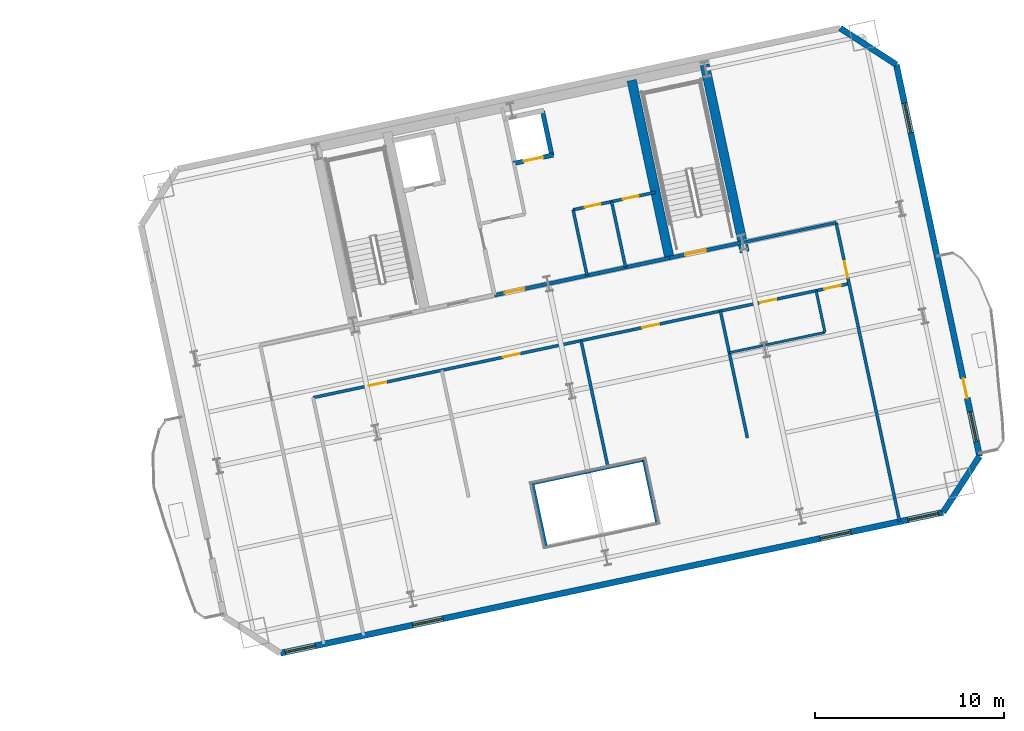
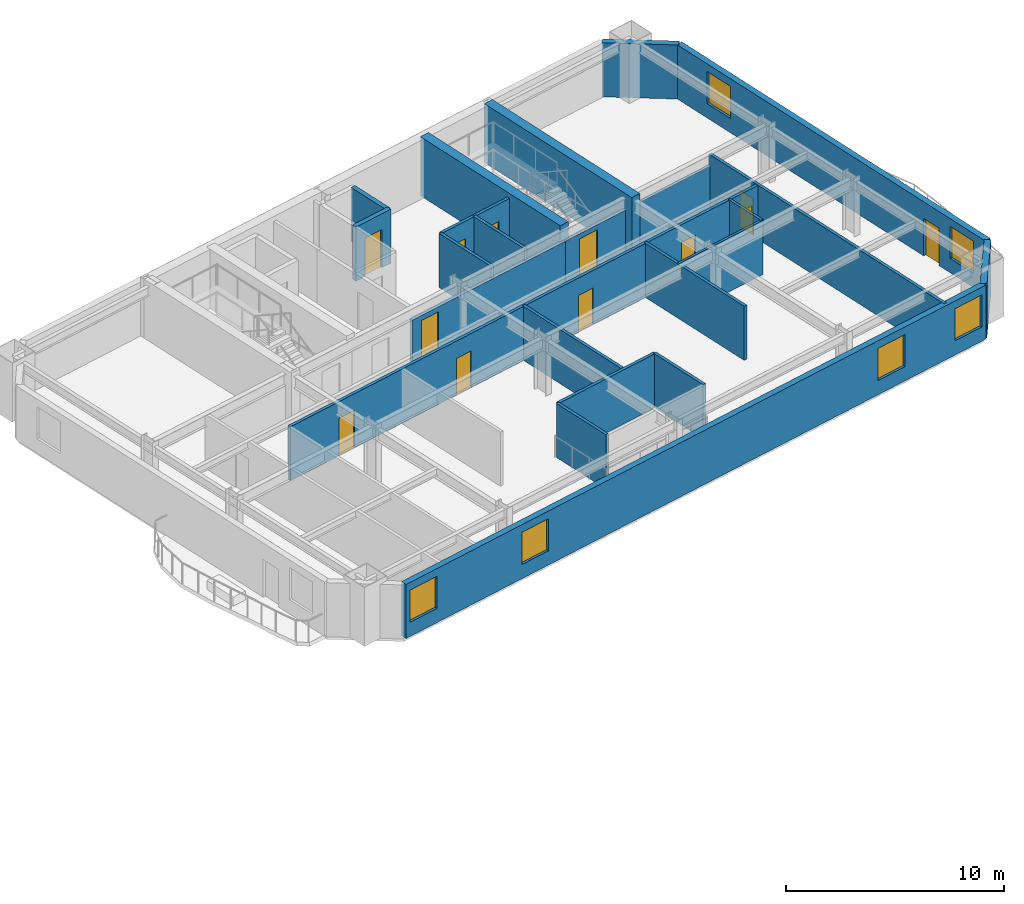
# One storey, part 8 of 13: 23 walls, 12 doors, 6 windows, 18 openings.
"""IFC4 building model written with IfcOpenShell, lengths in metres."""

import ifcopenshell
import ifcopenshell.guid

model = None  # the IFC model being written
_history = None  # IfcOwnerHistory: only IFC2X3 demands one
_inside = {}  # id of a spatial element -> (the spatial element, [elements in it])
_under = {}  # id of a project, library or spatial element -> (it, [spatial elements below it])
_declared = {}  # id of a project -> (the project, [libraries it declares])
_typed = {}  # id of a type object -> (the type object, [elements of that type])
_made_of = {}  # id of a material, layer set ... -> (it, [elements and type objects made of it])


def new_model(schema):
    """Start an empty IFC model of exactly this schema.

    Asked for "IFC4X3", IfcOpenShell would pick the latest addendum, in which some entities
    have other attributes; the version numbers below select the first issue.
    IFC2X3 requires an IfcOwnerHistory on every rooted entity: one is made here for all.
    """
    global model, _history
    if schema == "IFC4X3":
        model = ifcopenshell.file(schema_version=(4, 3, 0, 0))
    else:
        model = ifcopenshell.file(schema=schema)
    _inside.clear()
    _under.clear()
    _declared.clear()
    _typed.clear()
    _made_of.clear()
    _history = None
    if model.schema == "IFC2X3":
        org = make("IfcOrganization", Name="unknown")
        user = make(
            "IfcPersonAndOrganization",
            ThePerson=make("IfcPerson", FamilyName="unknown"),
            TheOrganization=org,
        )
        app = make(
            "IfcApplication",
            ApplicationDeveloper=org,
            Version="unknown",
            ApplicationFullName="unknown",
            ApplicationIdentifier="unknown",
        )
        _history = make(
            "IfcOwnerHistory",
            OwningUser=user,
            OwningApplication=app,
            ChangeAction="ADDED",
            CreationDate=0,
        )
    return model


def make(cls, **values):
    """One entity of the class cls with the attributes given. An attribute that is None is left unset."""
    return model.create_entity(
        cls, **{name: value for name, value in values.items() if value is not None}
    )


def rooted(cls, **values):
    """An entity with a GlobalId (a new one), such as an element, a storey or a relation."""
    return make(cls, GlobalId=ifcopenshell.guid.new(), OwnerHistory=_history, **values)


def si_unit(unit_type, name, prefix=None):
    """IfcSIUnit, for example si_unit("LENGTHUNIT", "METRE", prefix="MILLI")."""
    return make("IfcSIUnit", UnitType=unit_type, Prefix=prefix, Name=name)


def assignment(units):
    """IfcUnitAssignment: the units of a project."""
    return None if units is None else make("IfcUnitAssignment", Units=units)


def point(xyz):
    """IfcCartesianPoint."""
    return None if xyz is None else make("IfcCartesianPoint", Coordinates=xyz)


def direction(xyz):
    """IfcDirection."""
    return None if xyz is None else make("IfcDirection", DirectionRatios=xyz)


def frame(location, z_axis=None, x_axis=None):
    """IfcAxis2Placement3D, a coordinate frame: its origin and axes. An axis left out is left unset."""
    return make(
        "IfcAxis2Placement3D",
        Location=point(location),
        Axis=direction(z_axis),
        RefDirection=direction(x_axis),
    )


def frame_2d(location, x_axis=None):
    """IfcAxis2Placement2D, a coordinate frame in the plane: its origin and x axis."""
    return make(
        "IfcAxis2Placement2D", Location=point(location), RefDirection=direction(x_axis)
    )


def origin():
    """The frame at (0, 0, 0) with its axes left unset."""
    return frame((0.0, 0.0, 0.0))


def place(relative_to, where):
    """IfcLocalPlacement: puts the frame where relative to a parent placement (None: the world)."""
    return make(
        "IfcLocalPlacement", PlacementRelTo=relative_to, RelativePlacement=where
    )


def context(
    kind, dimensions, precision=None, world=None, true_north=None, identifier=None
):
    """IfcGeometricRepresentationContext, for example the 3D "Model" context."""
    return make(
        "IfcGeometricRepresentationContext",
        ContextIdentifier=identifier,
        ContextType=kind,
        CoordinateSpaceDimension=dimensions,
        Precision=precision,
        WorldCoordinateSystem=world,
        TrueNorth=true_north,
    )


def subcontext(parent, identifier, kind, view, scale=None):
    """IfcGeometricRepresentationSubContext, for example "Body" below "Model"."""
    return make(
        "IfcGeometricRepresentationSubContext",
        ContextIdentifier=identifier,
        ContextType=kind,
        ParentContext=parent,
        TargetScale=scale,
        TargetView=view,
    )


def project(units=None, contexts=None):
    """IfcProject with its units and contexts."""
    return rooted(
        "IfcProject",
        Name="project",
        RepresentationContexts=contexts,
        UnitsInContext=assignment(units),
    )


def spatial(cls, under=None, at=None, **own):
    """A site, building, storey or space (cls), placed at a placement, below another one or the project."""
    s = rooted(cls, ObjectPlacement=at, **own)
    if under is not None:
        _under.setdefault(under.id(), (under, []))[1].append(s)
    return s


def profile(cls, at=None, kind="AREA", **sizes):
    """A parametric profile (cls). Its sizes go by their IFC names, for example OverallWidth=200.0."""
    return make(cls, ProfileType=kind, Position=at, **sizes)


def rectangle(**sizes):
    """IfcRectangleProfileDef."""
    return profile("IfcRectangleProfileDef", **sizes)


def extrude(swept, where, along, depth):
    """IfcExtrudedAreaSolid: the profile swept, set in the frame where, extruded along a direction by depth."""
    return make(
        "IfcExtrudedAreaSolid",
        SweptArea=swept,
        Position=where,
        ExtrudedDirection=direction(along),
        Depth=depth,
    )


def shape(context_of_items, identifier, shape_type, items):
    """IfcShapeRepresentation: the items that make up one representation, for example the "Body"."""
    return make(
        "IfcShapeRepresentation",
        ContextOfItems=context_of_items,
        RepresentationIdentifier=identifier,
        RepresentationType=shape_type,
        Items=items,
    )


def material(Name=None, Category=None):
    """IfcMaterial."""
    return make("IfcMaterial", Name=Name, Category=Category)


def layer(
    of_material, thickness, ventilated=None, Name=None, Category=None, Priority=None
):
    """IfcMaterialLayer: one layer of a wall or slab, of a material (None: an air gap)."""
    return make(
        "IfcMaterialLayer",
        Material=of_material,
        LayerThickness=thickness,
        IsVentilated=ventilated,
        Name=Name,
        Category=Category,
        Priority=Priority,
    )


def layer_set(layers, Name=None):
    """IfcMaterialLayerSet."""
    return make("IfcMaterialLayerSet", MaterialLayers=layers, LayerSetName=Name)


def made_of(thing, what):
    """Note that an element or type object is made of a material, layer set ...; save() writes the relation."""
    if what is not None:
        _made_of.setdefault(what.id(), (what, []))[1].append(thing)
    return thing


def type_object(cls, material=None, **own):
    """A type object (cls), such as IfcWallType, which elements share."""
    return made_of(rooted(cls, **own), material)


def element(
    cls,
    number,
    at=None,
    inside=None,
    cuts=None,
    type_object=None,
    material=None,
    context=None,
    identifier="Body",
    shape_type=None,
    held_by="IfcProductDefinitionShape",
    body=None,
    shapes=None,
    **own,
):
    """One element of the class cls, such as IfcWall. Its Tag is "e" and its number.

    at: its placement. inside: the storey or other place that contains it. cuts: it is an
    opening in that element (IfcRelVoidsElement). A single representation is given by context,
    identifier, shape_type and body (its items); several are given by shapes. held_by: the class
    of the entity that holds the representations. save() writes the other relations.
    """
    e = rooted(cls, Tag="e%d" % number, ObjectPlacement=at, **own)
    if body is not None:
        shapes = [shape(context, identifier, shape_type, body)]
    if shapes is not None:
        e.Representation = make(held_by, Representations=shapes)
    if inside is not None:
        _inside.setdefault(inside.id(), (inside, []))[1].append(e)
    if cuts is not None:
        rooted(
            "IfcRelVoidsElement", RelatingBuildingElement=cuts, RelatedOpeningElement=e
        )
    if type_object is not None:
        _typed.setdefault(type_object.id(), (type_object, []))[1].append(e)
    return made_of(e, material)


def fill(opening, filler):
    """IfcRelFillsElement: the door or window that sits in an opening."""
    return rooted(
        "IfcRelFillsElement",
        RelatingOpeningElement=opening,
        RelatedBuildingElement=filler,
    )


def aggregate(whole, parts):
    """IfcRelAggregates: a whole, such as a stair, and the parts it consists of."""
    return rooted("IfcRelAggregates", RelatingObject=whole, RelatedObjects=parts)


def save(model, path):
    """Write the relations noted so far, then the file.

    IfcRelAggregates (storeys below a building ...), IfcRelContainedInSpatialStructure (elements
    in a storey), IfcRelDefinesByType, IfcRelAssociatesMaterial and IfcRelDeclares: one each for
    every whole, place, type object, material and project.
    """
    for whole, parts in _under.values():
        aggregate(whole, parts)
    for where, things in _inside.values():
        rooted(
            "IfcRelContainedInSpatialStructure",
            RelatedElements=things,
            RelatingStructure=where,
        )
    for kind, things in _typed.values():
        rooted("IfcRelDefinesByType", RelatedObjects=things, RelatingType=kind)
    for what, things in _made_of.values():
        rooted("IfcRelAssociatesMaterial", RelatedObjects=things, RelatingMaterial=what)
    for by, libraries in _declared.values():
        rooted("IfcRelDeclares", RelatingContext=by, RelatedDefinitions=libraries)
    model.write(path)


model = new_model("IFC4")

# Units and contexts
model_context = context("Model", 3, precision=1e-05, world=origin(), true_north=direction((0.0, 1.0)))
body_context = subcontext(model_context, "Body", "Model", "MODEL_VIEW")
ifc_project = project(units=[si_unit("LENGTHUNIT", "METRE"), si_unit("AREAUNIT", "SQUARE_METRE"), si_unit("VOLUMEUNIT", "CUBIC_METRE"), si_unit("PLANEANGLEUNIT", "RADIAN"), si_unit("MASSUNIT", "GRAM", prefix="KILO")], contexts=[model_context])

# Site, building, storey
site_placement = place(None, origin())
site = spatial("IfcSite", under=ifc_project, at=site_placement, CompositionType="ELEMENT")
building_placement = place(site_placement, origin())
building = spatial("IfcBuilding", under=site, at=building_placement, Name="Haevon Station Towers", CompositionType="ELEMENT")
storey_placement = place(building_placement, frame((0.0, 0.0, 99.89990234375)))
storey = spatial("IfcBuildingStorey", under=building, at=storey_placement, Name="L26", CompositionType="ELEMENT", Elevation=99.89990234375)

# Wall, opening, door
ifc_material_1 = material(Name="Gypsum board on steel stud", Category="steel")
ifc_layer_1 = layer(ifc_material_1, 0.199951171875)
ifc_layer_set_1 = layer_set([ifc_layer_1], Name="Gypsum board on steel stud")
wall_type_1 = type_object("IfcWallType", Name="WL-COR200", PredefinedType="PARTITIONING", material=ifc_layer_set_1)
wall_1_placement = place(storey_placement, frame((115.4296875, 40.9873046875, 0.0), z_axis=(0.0, 0.0, 1.0), x_axis=(0.978146596989, 0.207916413008, 0.0)))
wall_1 = element("IfcWall", 1, at=wall_1_placement, inside=storey, type_object=wall_type_1, Name="WL-ST-ST4-L26", PredefinedType="PARTITIONING", context=body_context, shape_type="SweptSolid", body=[
    extrude(rectangle(XDim=3.9501953125, YDim=0.199951171875, at=frame_2d((1.97509765625, 0.0))), origin(), (0.0, 0.0, 1.0), 2.380126953125),
])
opening_1_placement = place(wall_1_placement, frame((0.85009765625, 0.0, 0.0)))
opening_1 = element("IfcOpeningElement", 2, at=opening_1_placement, cuts=wall_1, Name="Opening DR-ST-ST4-L26", PredefinedType="OPENING", context=body_context, shape_type="SweptSolid", body=[
    extrude(rectangle(XDim=1.1201171875, YDim=2.10009765625, at=frame_2d((0.56005859375, 1.050048828125))), frame((0.0, 0.10986328125, 0.0), z_axis=(0.0, -1.0, 0.0), x_axis=(1.0, 0.0, 0.0)), (0.0, 0.0, 1.0), 0.219970703125),
])
ifc_material_2 = material(Name="Engineered oak timber", Category="wood")
door_type_1 = type_object("IfcDoorType", Name="DR-ST-1120", OperationType="NOTDEFINED", PredefinedType="DOOR", material=ifc_material_2)
door_1_placement = place(opening_1_placement, origin())
door_1 = element("IfcDoor", 3, at=door_1_placement, inside=storey, type_object=door_type_1, Name="L26 Escape Stair ST4 Fire Door", OperationType="SINGLE_SWING_RIGHT", OverallHeight=2.10009765625, OverallWidth=1.1201171875, PredefinedType="DOOR", context=body_context, shape_type="SweptSolid", body=[
    extrude(rectangle(XDim=1.1201171875, YDim=2.10009765625, at=frame_2d((0.56005859375, 1.050048828125))), frame((0.0, 0.02490234375, 0.0), z_axis=(0.0, -1.0, 0.0), x_axis=(1.0, 0.0, 0.0)), (0.0, 0.0, 1.0), 0.050048828125),
])
fill(opening_1, door_1)

wall_2_placement = place(storey_placement, frame((106.186279296875, 39.0224609375, 0.0), z_axis=(0.0, 0.0, 1.0), x_axis=(0.978145519981, 0.20792147975, 0.0)))
wall_2 = element("IfcWall", 4, at=wall_2_placement, inside=storey, type_object=wall_type_1, Name="WL-T2CLB-L26", PredefinedType="PARTITIONING", context=body_context, shape_type="SweptSolid", body=[
    extrude(rectangle(XDim=9.449951171875, YDim=0.199951171875, at=frame_2d((4.72509765625, 0.0))), origin(), (0.0, 0.0, 1.0), 2.380126953125),
])
opening_2_placement = place(wall_2_placement, frame((0.550048828125, 0.0, 0.0)))
opening_2 = element("IfcOpeningElement", 5, at=opening_2_placement, cuts=wall_2, Name="Opening DR-T2CLB-L26-1", PredefinedType="OPENING", context=body_context, shape_type="SweptSolid", body=[
    extrude(rectangle(XDim=1.050048828125, YDim=2.10009765625, at=frame_2d((0.52490234375, 1.050048828125))), frame((0.0, 0.10986328125, 0.0), z_axis=(0.0, -1.0, 0.0), x_axis=(1.0, 0.0, 0.0)), (0.0, 0.0, 1.0), 0.219970703125),
])
door_type_2 = type_object("IfcDoorType", Name="DR-FD60-1050", OperationType="NOTDEFINED", PredefinedType="DOOR", material=ifc_material_2)
door_2_placement = place(opening_2_placement, origin())
door_2 = element("IfcDoor", 6, at=door_2_placement, inside=storey, type_object=door_type_2, Name="L26 Tower 2 Core Lift Lobby Door 1", OperationType="SINGLE_SWING_LEFT", OverallHeight=2.10009765625, OverallWidth=1.050048828125, PredefinedType="DOOR", context=body_context, shape_type="SweptSolid", body=[
    extrude(rectangle(XDim=1.050048828125, YDim=2.10009765625, at=frame_2d((0.52490234375, 1.050048828125))), frame((0.0, 0.02490234375, 0.0), z_axis=(0.0, -1.0, 0.0), x_axis=(1.0, 0.0, 0.0)), (0.0, 0.0, 1.0), 0.050048828125),
])
fill(opening_2, door_2)

# Walls
ifc_material_3 = material(Name="Concrete C60/75", Category="concrete")
ifc_layer_2 = layer(ifc_material_3, 0.5)
ifc_layer_set_2 = layer_set([ifc_layer_2], Name="Concrete C60/75")
wall_type_2 = type_object("IfcWallType", Name="WL-CR500", PredefinedType="SHEAR", material=ifc_layer_set_2)
wall_3_placement = place(storey_placement, frame((119.401611328125, 41.2998046875, 0.0), z_axis=(0.0, 0.0, 1.0), x_axis=(-0.207904342798, 0.978149162575, 0.0)))
element("IfcWall", 7, at=wall_3_placement, inside=storey, type_object=wall_type_2, Name="WL-T2CR-L26-E", PredefinedType="SHEAR", context=body_context, shape_type="SweptSolid", body=[
    extrude(rectangle(XDim=10.1201171875, YDim=0.5, at=frame_2d((5.06005859375, 0.0))), origin(), (0.0, 0.0, 1.0), 3.300048828125),
])
wall_4_placement = place(storey_placement, frame((115.4296875, 40.9873046875, 0.0), z_axis=(0.0, 0.0, 1.0), x_axis=(-0.207903162969, 0.978149413345, 0.0)))
element("IfcWall", 8, at=wall_4_placement, inside=storey, type_object=wall_type_2, Name="WL-T2CR-L26-M2", PredefinedType="SHEAR", context=body_context, shape_type="SweptSolid", body=[
    extrude(rectangle(XDim=9.599853515625, YDim=0.5, at=frame_2d((4.7998046875, 0.0))), origin(), (0.0, 0.0, 1.0), 3.300048828125),
])

# Wall, openings, windows
ifc_material_4 = material(Name="Precast concrete C45/55", Category="concrete")
ifc_layer_3 = layer(ifc_material_4, 0.320068359375)
ifc_layer_set_3 = layer_set([ifc_layer_3], Name="Precast concrete C45/55")
wall_type_3 = type_object("IfcWallType", Name="WL-EXT-PIER320", PredefinedType="SOLIDWALL", material=ifc_layer_set_3)
wall_5_placement = place(storey_placement, frame((129.889404296875, 27.550048828125, 0.0), z_axis=(0.0, 0.0, 1.0), x_axis=(-0.978146786281, -0.207915522479, 0.0)))
wall_5 = element("IfcWall", 9, at=wall_5_placement, inside=storey, type_object=wall_type_3, Name="WL-T2-L26-S", PredefinedType="SOLIDWALL", context=body_context, shape_type="SweptSolid", body=[
    extrude(rectangle(XDim=35.7998046875, YDim=0.320068359375, at=frame_2d((17.89990234375, 0.0))), origin(), (0.0, 0.0, 1.0), 3.030029296875),
])
opening_3_placement = place(wall_5_placement, frame((33.89990234375, 0.0, 0.800048828125)))
opening_3 = element("IfcOpeningElement", 10, at=opening_3_placement, cuts=wall_5, Name="Opening WN-P165", PredefinedType="OPENING", context=body_context, shape_type="SweptSolid", body=[
    extrude(rectangle(XDim=1.64990234375, YDim=1.800048828125, at=frame_2d((0.824951171875, 0.89990234375))), frame((0.0, 0.169921875, 0.0), z_axis=(0.0, -1.0, 0.0), x_axis=(1.0, 0.0, 0.0)), (0.0, 0.0, 1.0), 0.340087890625),
])
opening_4_placement = place(wall_5_placement, frame((0.25, 0.0, 0.800048828125)))
opening_4 = element("IfcOpeningElement", 11, at=opening_4_placement, cuts=wall_5, Name="Opening WN-P165", PredefinedType="OPENING", context=body_context, shape_type="SweptSolid", body=[
    extrude(rectangle(XDim=1.64990234375, YDim=1.800048828125, at=frame_2d((0.824951171875, 0.89990234375))), frame((0.0, 0.169921875, 0.0), z_axis=(0.0, -1.0, 0.0), x_axis=(1.0, 0.0, 0.0)), (0.0, 0.0, 1.0), 0.340087890625),
])
opening_5_placement = place(wall_5_placement, frame((27.0009765625, 0.0, 0.800048828125)))
opening_5 = element("IfcOpeningElement", 12, at=opening_5_placement, cuts=wall_5, Name="Opening WN-P165", PredefinedType="OPENING", context=body_context, shape_type="SweptSolid", body=[
    extrude(rectangle(XDim=1.64990234375, YDim=1.800048828125, at=frame_2d((0.824951171875, 0.89990234375))), frame((0.0, 0.169921875, 0.0), z_axis=(0.0, -1.0, 0.0), x_axis=(1.0, 0.0, 0.0)), (0.0, 0.0, 1.0), 0.340087890625),
])
opening_6_placement = place(wall_5_placement, frame((4.9990234375, 0.0, 0.800048828125)))
opening_6 = element("IfcOpeningElement", 13, at=opening_6_placement, cuts=wall_5, Name="Opening WN-P165", PredefinedType="OPENING", context=body_context, shape_type="SweptSolid", body=[
    extrude(rectangle(XDim=1.64990234375, YDim=1.800048828125, at=frame_2d((0.824951171875, 0.89990234375))), frame((0.0, 0.169921875, 0.0), z_axis=(0.0, -1.0, 0.0), x_axis=(1.0, 0.0, 0.0)), (0.0, 0.0, 1.0), 0.340087890625),
])
ifc_material_5 = material(Name="Low-E triple glazing in thermally broken aluminium", Category="aluminium")
window_type_1 = type_object("IfcWindowType", Name="WN-P165", PartitioningType="SINGLE_PANEL", PredefinedType="WINDOW", material=ifc_material_5)
window_1_placement = place(opening_3_placement, origin())
window_1 = element("IfcWindow", 14, at=window_1_placement, inside=storey, type_object=window_type_1, Name="WN-T2-L26-S01", OverallHeight=1.800048828125, OverallWidth=1.64990234375, PartitioningType="SINGLE_PANEL", PredefinedType="WINDOW", context=body_context, shape_type="SweptSolid", body=[
    extrude(rectangle(XDim=1.64990234375, YDim=1.800048828125, at=frame_2d((0.824951171875, 0.89990234375))), frame((0.0, 0.030029296875, 0.0), z_axis=(0.0, -1.0, 0.0), x_axis=(1.0, 0.0, 0.0)), (0.0, 0.0, 1.0), 0.06005859375),
])
fill(opening_3, window_1)
window_2_placement = place(opening_4_placement, origin())
window_2 = element("IfcWindow", 15, at=window_2_placement, inside=storey, type_object=window_type_1, Name="WN-T2-L26-S02", OverallHeight=1.800048828125, OverallWidth=1.64990234375, PartitioningType="SINGLE_PANEL", PredefinedType="WINDOW", context=body_context, shape_type="SweptSolid", body=[
    extrude(rectangle(XDim=1.64990234375, YDim=1.800048828125, at=frame_2d((0.824951171875, 0.89990234375))), frame((0.0, 0.030029296875, 0.0), z_axis=(0.0, -1.0, 0.0), x_axis=(1.0, 0.0, 0.0)), (0.0, 0.0, 1.0), 0.06005859375),
])
fill(opening_4, window_2)
window_3_placement = place(opening_5_placement, origin())
window_3 = element("IfcWindow", 16, at=window_3_placement, inside=storey, type_object=window_type_1, Name="WN-T2-L26-S03", OverallHeight=1.800048828125, OverallWidth=1.64990234375, PartitioningType="SINGLE_PANEL", PredefinedType="WINDOW", context=body_context, shape_type="SweptSolid", body=[
    extrude(rectangle(XDim=1.64990234375, YDim=1.800048828125, at=frame_2d((0.824951171875, 0.89990234375))), frame((0.0, 0.030029296875, 0.0), z_axis=(0.0, -1.0, 0.0), x_axis=(1.0, 0.0, 0.0)), (0.0, 0.0, 1.0), 0.06005859375),
])
fill(opening_5, window_3)
window_4_placement = place(opening_6_placement, origin())
window_4 = element("IfcWindow", 17, at=window_4_placement, inside=storey, type_object=window_type_1, Name="WN-T2-L26-S04", OverallHeight=1.800048828125, OverallWidth=1.64990234375, PartitioningType="SINGLE_PANEL", PredefinedType="WINDOW", context=body_context, shape_type="SweptSolid", body=[
    extrude(rectangle(XDim=1.64990234375, YDim=1.800048828125, at=frame_2d((0.824951171875, 0.89990234375))), frame((0.0, 0.030029296875, 0.0), z_axis=(0.0, -1.0, 0.0), x_axis=(1.0, 0.0, 0.0)), (0.0, 0.0, 1.0), 0.06005859375),
])
fill(opening_6, window_4)

# Wall
wall_6_placement = place(storey_placement, frame((124.45263671875, 53.128662109375, 0.0), z_axis=(0.0, 0.0, 1.0), x_axis=(0.838640767148, -0.544684921471, 0.0)))
element("IfcWall", 18, at=wall_6_placement, inside=storey, type_object=wall_type_3, Name="WL-T2-L26-NEC", PredefinedType="SOLIDWALL", context=body_context, shape_type="SweptSolid", body=[
    extrude(rectangle(XDim=3.53564453125, YDim=0.320068359375, at=frame_2d((1.767822265625, 0.0))), origin(), (0.0, 0.0, 1.0), 3.030029296875),
])

# Wall, openings, door, windows
wall_7_placement = place(storey_placement, frame((127.417724609375, 51.202880859375, 0.0), z_axis=(0.0, 0.0, 1.0), x_axis=(0.207918258146, -0.978146204782, 0.0)))
wall_7 = element("IfcWall", 19, at=wall_7_placement, inside=storey, type_object=wall_type_3, Name="WL-T2-L26-E", PredefinedType="SOLIDWALL", context=body_context, shape_type="SweptSolid", body=[
    extrude(rectangle(XDim=21.14990234375, YDim=0.320068359375, at=frame_2d((10.574951171875, 0.0))), origin(), (0.0, 0.0, 1.0), 3.030029296875),
])
opening_7_placement = place(wall_7_placement, frame((16.949951171875, 0.0, 0.0)))
opening_7 = element("IfcOpeningElement", 20, at=opening_7_placement, cuts=wall_7, Name="Opening DR-T2-SCAL-L26-E", PredefinedType="OPENING", context=body_context, shape_type="SweptSolid", body=[
    extrude(rectangle(XDim=1.050048828125, YDim=2.10009765625, at=frame_2d((0.52490234375, 1.050048828125))), frame((0.0, 0.169921875, 0.0), z_axis=(0.0, -1.0, 0.0), x_axis=(1.0, 0.0, 0.0)), (0.0, 0.0, 1.0), 0.340087890625),
])
opening_8_placement = place(wall_7_placement, frame((2.08203125, 0.0, 0.800048828125)))
opening_8 = element("IfcOpeningElement", 21, at=opening_8_placement, cuts=wall_7, Name="Opening WN-END160", PredefinedType="OPENING", context=body_context, shape_type="SweptSolid", body=[
    extrude(rectangle(XDim=1.60009765625, YDim=1.800048828125, at=frame_2d((0.800048828125, 0.89990234375))), frame((0.0, 0.169921875, 0.0), z_axis=(0.0, -1.0, 0.0), x_axis=(1.0, 0.0, 0.0)), (0.0, 0.0, 1.0), 0.340087890625),
])
opening_9_placement = place(wall_7_placement, frame((18.75, 0.0, 0.800048828125)))
opening_9 = element("IfcOpeningElement", 22, at=opening_9_placement, cuts=wall_7, Name="Opening WN-END160", PredefinedType="OPENING", context=body_context, shape_type="SweptSolid", body=[
    extrude(rectangle(XDim=1.60009765625, YDim=1.800048828125, at=frame_2d((0.800048828125, 0.89990234375))), frame((0.0, 0.169921875, 0.0), z_axis=(0.0, -1.0, 0.0), x_axis=(1.0, 0.0, 0.0)), (0.0, 0.0, 1.0), 0.340087890625),
])
ifc_material_6 = material(Name="Thermally broken anodised aluminium and laminated safety glass", Category="aluminium")
door_type_3 = type_object("IfcDoorType", Name="DR-BALC-1050", OperationType="NOTDEFINED", PredefinedType="DOOR", material=ifc_material_6)
door_3_placement = place(opening_7_placement, origin())
door_3 = element("IfcDoor", 23, at=door_3_placement, inside=storey, type_object=door_type_3, Name="Tower 2 L26 East Scalloped Balcony Door", OperationType="SINGLE_SWING_RIGHT", OverallHeight=2.10009765625, OverallWidth=1.050048828125, PredefinedType="DOOR", context=body_context, shape_type="SweptSolid", body=[
    extrude(rectangle(XDim=1.050048828125, YDim=2.10009765625, at=frame_2d((0.52490234375, 1.050048828125))), frame((0.0, 0.02490234375, 0.0), z_axis=(0.0, -1.0, 0.0), x_axis=(1.0, 0.0, 0.0)), (0.0, 0.0, 1.0), 0.050048828125),
])
fill(opening_7, door_3)
window_type_2 = type_object("IfcWindowType", Name="WN-END160", PartitioningType="SINGLE_PANEL", PredefinedType="WINDOW", material=ifc_material_5)
window_5_placement = place(opening_8_placement, origin())
window_5 = element("IfcWindow", 24, at=window_5_placement, inside=storey, type_object=window_type_2, Name="WN-T2-L26-E01", OverallHeight=1.800048828125, OverallWidth=1.60009765625, PartitioningType="SINGLE_PANEL", PredefinedType="WINDOW", context=body_context, shape_type="SweptSolid", body=[
    extrude(rectangle(XDim=1.60009765625, YDim=1.800048828125, at=frame_2d((0.800048828125, 0.89990234375))), frame((0.0, 0.030029296875, 0.0), z_axis=(0.0, -1.0, 0.0), x_axis=(1.0, 0.0, 0.0)), (0.0, 0.0, 1.0), 0.06005859375),
])
fill(opening_8, window_5)
window_6_placement = place(opening_9_placement, origin())
window_6 = element("IfcWindow", 25, at=window_6_placement, inside=storey, type_object=window_type_2, Name="WN-T2-L26-E02", OverallHeight=1.800048828125, OverallWidth=1.60009765625, PartitioningType="SINGLE_PANEL", PredefinedType="WINDOW", context=body_context, shape_type="SweptSolid", body=[
    extrude(rectangle(XDim=1.60009765625, YDim=1.800048828125, at=frame_2d((0.800048828125, 0.89990234375))), frame((0.0, 0.030029296875, 0.0), z_axis=(0.0, -1.0, 0.0), x_axis=(1.0, 0.0, 0.0)), (0.0, 0.0, 1.0), 0.06005859375),
])
fill(opening_9, window_6)

# Walls
wall_8_placement = place(storey_placement, frame((131.815185546875, 30.51513671875, 0.0), z_axis=(0.0, 0.0, 1.0), x_axis=(-0.544684921471, -0.838640767148, 0.0)))
element("IfcWall", 26, at=wall_8_placement, inside=storey, type_object=wall_type_3, Name="WL-T2-L26-SEC", PredefinedType="SOLIDWALL", context=body_context, shape_type="SweptSolid", body=[
    extrude(rectangle(XDim=3.53564453125, YDim=0.320068359375, at=frame_2d((1.767822265625, 0.0))), origin(), (0.0, 0.0, 1.0), 3.030029296875),
])
ifc_layer_4 = layer(ifc_material_1, 0.125)
ifc_layer_set_4 = layer_set([ifc_layer_4], Name="Gypsum board on steel stud")
wall_type_4 = type_object("IfcWallType", Name="WL-PRT125", PredefinedType="PARTITIONING", material=ifc_layer_set_4)
wall_9_placement = place(storey_placement, frame((118.5908203125, 35.985107421875, 0.0), z_axis=(0.0, 0.0, 1.0), x_axis=(0.97813987762, 0.207948021891, 0.0)))
element("IfcWall", 27, at=wall_9_placement, inside=storey, type_object=wall_type_4, Name="WL-T2PT-L26-15", PredefinedType="PARTITIONING", context=body_context, shape_type="SweptSolid", body=[
    extrude(rectangle(XDim=5.168212890625, YDim=0.125, at=frame_2d((2.583984375, 0.0))), origin(), (0.0, 0.0, 1.0), 3.030029296875),
])
ifc_layer_5 = layer(ifc_material_1, 0.139892578125)
ifc_layer_set_5 = layer_set([ifc_layer_5], Name="Gypsum board on steel stud")
wall_type_5 = type_object("IfcWallType", Name="WL-PRT140", PredefinedType="PARTITIONING", material=ifc_layer_set_5)
wall_10_placement = place(storey_placement, frame((123.64599609375, 37.059814453125, 0.0), z_axis=(0.0, 0.0, 1.0), x_axis=(-0.207913264065, 0.978147266328, 0.0)))
element("IfcWall", 28, at=wall_10_placement, inside=storey, type_object=wall_type_5, Name="WL-T2PT-L26-16", PredefinedType="PARTITIONING", context=body_context, shape_type="SweptSolid", body=[
    extrude(rectangle(XDim=2.249755859375, YDim=0.139892578125, at=frame_2d((1.125, 0.0))), origin(), (0.0, 0.0, 1.0), 3.030029296875),
])
ifc_layer_6 = layer(ifc_material_1, 0.159912109375)
ifc_layer_set_6 = layer_set([ifc_layer_6], Name="Gypsum board on steel stud")
wall_type_6 = type_object("IfcWallType", Name="WL-PRT160", PredefinedType="PARTITIONING", material=ifc_layer_set_6)
for number, where, z_axis, x_axis, name in (
    (29, (111.076904296875, 40.06201171875, 0.0), (0.0, 0.0, 1.0), (-0.207899058817, 0.978150285663, 0.0), "WL-T2CW-L26-05"),
    (30, (113.111572265625, 40.49462890625, 0.0), (0.0, 0.0, 1.0), (-0.207899058817, 0.978150285663, 0.0), "WL-T2CW-L26-06"),
):
    element("IfcWall", number, at=place(storey_placement, frame(where, z_axis=z_axis, x_axis=x_axis)), inside=storey, type_object=wall_type_6, Name=name, PredefinedType="PARTITIONING", context=body_context, shape_type="SweptSolid", body=[
        extrude(rectangle(XDim=3.550048828125, YDim=0.159912109375, at=frame_2d((1.77490234375, 0.0))), origin(), (0.0, 0.0, 1.0), 3.030029296875),
    ])

# Wall, openings, doors
wall_11_placement = place(storey_placement, frame((110.3388671875, 43.534423828125, 0.0), z_axis=(0.0, 0.0, 1.0), x_axis=(0.978143929138, 0.207928963567, 0.0)))
wall_11 = element("IfcWall", 31, at=wall_11_placement, inside=storey, type_object=wall_type_6, Name="WL-T2CW-L26-07", PredefinedType="PARTITIONING", context=body_context, shape_type="SweptSolid", body=[
    extrude(rectangle(XDim=4.449951171875, YDim=0.159912109375, at=frame_2d((2.22509765625, 0.0))), origin(), (0.0, 0.0, 1.0), 3.030029296875),
])
opening_10_placement = place(wall_11_placement, frame((0.635009765625, 0.0, 0.0)))
opening_10 = element("IfcOpeningElement", 32, at=opening_10_placement, cuts=wall_11, Name="Opening DR-WL-T2CW-L26-07-1", PredefinedType="OPENING", context=body_context, shape_type="SweptSolid", body=[
    extrude(rectangle(XDim=0.85009765625, YDim=2.050048828125, at=frame_2d((0.425048828125, 1.02490234375))), frame((0.0, 0.08984375, 0.0), z_axis=(0.0, -1.0, 0.0), x_axis=(1.0, 0.0, 0.0)), (0.0, 0.0, 1.0), 0.179931640625),
])
opening_11_placement = place(wall_11_placement, frame((2.679931640625, 0.0, 0.0)))
opening_11 = element("IfcOpeningElement", 33, at=opening_11_placement, cuts=wall_11, Name="Opening DR-WL-T2CW-L26-07-2", PredefinedType="OPENING", context=body_context, shape_type="SweptSolid", body=[
    extrude(rectangle(XDim=0.85009765625, YDim=2.050048828125, at=frame_2d((0.425048828125, 1.02490234375))), frame((0.0, 0.08984375, 0.0), z_axis=(0.0, -1.0, 0.0), x_axis=(1.0, 0.0, 0.0)), (0.0, 0.0, 1.0), 0.179931640625),
])
door_type_4 = type_object("IfcDoorType", Name="DR-FD30-850", OperationType="NOTDEFINED", PredefinedType="DOOR", material=ifc_material_2)
door_4_placement = place(opening_10_placement, origin())
door_4 = element("IfcDoor", 34, at=door_4_placement, inside=storey, type_object=door_type_4, Name="L26 Tower 2 Core Room Door 7-1", OperationType="SINGLE_SWING_LEFT", OverallHeight=2.050048828125, OverallWidth=0.85009765625, PredefinedType="DOOR", context=body_context, shape_type="SweptSolid", body=[
    extrude(rectangle(XDim=0.85009765625, YDim=2.050048828125, at=frame_2d((0.425048828125, 1.02490234375))), frame((0.0, 0.02490234375, 0.0), z_axis=(0.0, -1.0, 0.0), x_axis=(1.0, 0.0, 0.0)), (0.0, 0.0, 1.0), 0.050048828125),
])
fill(opening_10, door_4)
door_5_placement = place(opening_11_placement, origin())
door_5 = element("IfcDoor", 35, at=door_5_placement, inside=storey, type_object=door_type_4, Name="L26 Tower 2 Core Room Door 7-2", OperationType="SINGLE_SWING_RIGHT", OverallHeight=2.050048828125, OverallWidth=0.85009765625, PredefinedType="DOOR", context=body_context, shape_type="SweptSolid", body=[
    extrude(rectangle(XDim=0.85009765625, YDim=2.050048828125, at=frame_2d((0.425048828125, 1.02490234375))), frame((0.0, 0.02490234375, 0.0), z_axis=(0.0, -1.0, 0.0), x_axis=(1.0, 0.0, 0.0)), (0.0, 0.0, 1.0), 0.050048828125),
])
fill(opening_11, door_5)

# Wall
wall_12_placement = place(storey_placement, frame((119.29345703125, 41.80859375, 0.0), z_axis=(0.0, 0.0, 1.0), x_axis=(0.978154058851, 0.207881305445, 0.0)))
element("IfcWall", 36, at=wall_12_placement, inside=storey, type_object=wall_type_6, Name="WL-T2PT-L26-03", PredefinedType="PARTITIONING", context=body_context, shape_type="SweptSolid", body=[
    extrude(rectangle(XDim=5.050048828125, YDim=0.159912109375, at=frame_2d((2.52490234375, 0.0))), origin(), (0.0, 0.0, 1.0), 2.380126953125),
])

# Wall, opening, door
wall_13_placement = place(storey_placement, frame((127.5908203125, 27.0615234375, 0.0), z_axis=(0.0, 0.0, 1.0), x_axis=(-0.207907933608, 0.978148399346, 0.0)))
wall_13 = element("IfcWall", 37, at=wall_13_placement, inside=storey, type_object=wall_type_6, Name="WL-T2PT-L26-05", PredefinedType="PARTITIONING", context=body_context, shape_type="SweptSolid", body=[
    extrude(rectangle(XDim=16.149658203125, YDim=0.159912109375, at=frame_2d((8.07470703125, 0.0))), origin(), (0.0, 0.0, 1.0), 3.030029296875),
])
opening_12_placement = place(wall_13_placement, frame((13.169921875, 0.0, 0.0)))
opening_12 = element("IfcOpeningElement", 38, at=opening_12_placement, cuts=wall_13, Name="Opening DR-WL-T2PT-L26-05-01", PredefinedType="OPENING", context=body_context, shape_type="SweptSolid", body=[
    extrude(rectangle(XDim=0.89990234375, YDim=2.050048828125, at=frame_2d((0.449951171875, 1.02490234375))), frame((0.0, 0.08984375, 0.0), z_axis=(0.0, -1.0, 0.0), x_axis=(1.0, 0.0, 0.0)), (0.0, 0.0, 1.0), 0.179931640625),
])
door_type_5 = type_object("IfcDoorType", Name="DR-INT-900", OperationType="NOTDEFINED", PredefinedType="DOOR", material=ifc_material_2)
door_6_placement = place(opening_12_placement, origin())
door_6 = element("IfcDoor", 39, at=door_6_placement, inside=storey, type_object=door_type_5, Name="L26 Tower 2 Room Door 5-1", OperationType="SINGLE_SWING_RIGHT", OverallHeight=2.050048828125, OverallWidth=0.89990234375, PredefinedType="DOOR", context=body_context, shape_type="SweptSolid", body=[
    extrude(rectangle(XDim=0.89990234375, YDim=2.050048828125, at=frame_2d((0.449951171875, 1.02490234375))), frame((0.0, 0.02490234375, 0.0), z_axis=(0.0, -1.0, 0.0), x_axis=(1.0, 0.0, 0.0)), (0.0, 0.0, 1.0), 0.050048828125),
])
fill(opening_12, door_6)

# Walls
wall_14_placement = place(storey_placement, frame((108.19873046875, 29.073486328125, 0.0), z_axis=(0.0, 0.0, 1.0), x_axis=(0.978144681088, 0.207925426197, 0.0)))
element("IfcWall", 40, at=wall_14_placement, inside=storey, type_object=wall_type_6, Name="WL-T2PT-L26-07", PredefinedType="PARTITIONING", context=body_context, shape_type="SweptSolid", body=[
    extrude(rectangle(XDim=6.0, YDim=0.159912109375, at=frame_2d((3.0, 0.0))), origin(), (0.0, 0.0, 1.0), 3.030029296875),
])
for number, where, z_axis, x_axis, name in (
    (41, (108.90576171875, 25.747802734375, 0.0), (0.0, 0.0, 1.0), (-0.207949787024, 0.97813950236, 0.0), "WL-T2PT-L26-08"),
    (42, (114.774658203125, 26.995361328125, 0.0), (0.0, 0.0, 1.0), (-0.207949787024, 0.97813950236, 0.0), "WL-T2PT-L26-09"),
):
    element("IfcWall", number, at=place(storey_placement, frame(where, z_axis=z_axis, x_axis=x_axis)), inside=storey, type_object=wall_type_6, Name=name, PredefinedType="PARTITIONING", context=body_context, shape_type="SweptSolid", body=[
        extrude(rectangle(XDim=3.39990234375, YDim=0.159912109375, at=frame_2d((1.699951171875, 0.0))), origin(), (0.0, 0.0, 1.0), 3.030029296875),
    ])
for number, where, z_axis, x_axis, name in (
    (43, (112.184814453125, 29.9208984375, 0.0), (0.0, 0.0, 1.0), (-0.207932073521, 0.978143268035, 0.0), "WL-T2PT-L26-11"),
    (44, (119.547119140625, 31.48583984375, 0.0), (0.0, 0.0, 1.0), (-0.207897972701, 0.978150516509, 0.0), "WL-T2PT-L26-13"),
):
    element("IfcWall", number, at=place(storey_placement, frame(where, z_axis=z_axis, x_axis=x_axis)), inside=storey, type_object=wall_type_6, Name=name, PredefinedType="PARTITIONING", context=body_context, shape_type="SweptSolid", body=[
        extrude(rectangle(XDim=6.849853515625, YDim=0.159912109375, at=frame_2d((3.4248046875, 0.0))), origin(), (0.0, 0.0, 1.0), 3.030029296875),
    ])

# Wall, openings, doors
wall_15_placement = place(storey_placement, frame((96.601806640625, 33.611572265625, 0.0), z_axis=(0.0, 0.0, 1.0), x_axis=(0.978147618699, 0.207911606299, 0.0)))
wall_15 = element("IfcWall", 45, at=wall_15_placement, inside=storey, type_object=wall_type_6, Name="WL-T2PT-L26-17", PredefinedType="PARTITIONING", context=body_context, shape_type="SweptSolid", body=[
    extrude(rectangle(XDim=28.949951171875, YDim=0.159912109375, at=frame_2d((14.47509765625, 0.0))), origin(), (0.0, 0.0, 1.0), 3.030029296875),
])
opening_13_placement = place(wall_15_placement, frame((2.9990234375, 0.0, 0.0)))
opening_13 = element("IfcOpeningElement", 46, at=opening_13_placement, cuts=wall_15, Name="Opening DR-WL-T2PT-L26-17-01", PredefinedType="OPENING", context=body_context, shape_type="SweptSolid", body=[
    extrude(rectangle(XDim=0.949951171875, YDim=2.10009765625, at=frame_2d((0.47509765625, 1.050048828125))), frame((0.0, 0.08984375, 0.0), z_axis=(0.0, -1.0, 0.0), x_axis=(1.0, 0.0, 0.0)), (0.0, 0.0, 1.0), 0.179931640625),
])
opening_14_placement = place(wall_15_placement, frame((10.260986328125, 0.0, 0.0)))
opening_14 = element("IfcOpeningElement", 47, at=opening_14_placement, cuts=wall_15, Name="Opening DR-WL-T2PT-L26-17-02", PredefinedType="OPENING", context=body_context, shape_type="SweptSolid", body=[
    extrude(rectangle(XDim=0.89990234375, YDim=2.050048828125, at=frame_2d((0.449951171875, 1.02490234375))), frame((0.0, 0.08984375, 0.0), z_axis=(0.0, -1.0, 0.0), x_axis=(1.0, 0.0, 0.0)), (0.0, 0.0, 1.0), 0.179931640625),
])
opening_15_placement = place(wall_15_placement, frame((17.7880859375, 0.0, 0.0)))
opening_15 = element("IfcOpeningElement", 48, at=opening_15_placement, cuts=wall_15, Name="Opening DR-WL-T2PT-L26-17-03", PredefinedType="OPENING", context=body_context, shape_type="SweptSolid", body=[
    extrude(rectangle(XDim=0.89990234375, YDim=2.050048828125, at=frame_2d((0.449951171875, 1.02490234375))), frame((0.0, 0.08984375, 0.0), z_axis=(0.0, -1.0, 0.0), x_axis=(1.0, 0.0, 0.0)), (0.0, 0.0, 1.0), 0.179931640625),
])
opening_16_placement = place(wall_15_placement, frame((24.160888671875, 0.0, 0.0)))
opening_16 = element("IfcOpeningElement", 49, at=opening_16_placement, cuts=wall_15, Name="Opening DR-WL-T2PT-L26-17-04", PredefinedType="OPENING", context=body_context, shape_type="SweptSolid", body=[
    extrude(rectangle(XDim=0.85009765625, YDim=2.050048828125, at=frame_2d((0.425048828125, 1.02490234375))), frame((0.0, 0.08984375, 0.0), z_axis=(0.0, -1.0, 0.0), x_axis=(1.0, 0.0, 0.0)), (0.0, 0.0, 1.0), 0.179931640625),
])
opening_17_placement = place(wall_15_placement, frame((27.610107421875, 0.0, 0.0)))
opening_17 = element("IfcOpeningElement", 50, at=opening_17_placement, cuts=wall_15, Name="Opening DR-WL-T2PT-L26-17-05", PredefinedType="OPENING", context=body_context, shape_type="SweptSolid", body=[
    extrude(rectangle(XDim=0.89990234375, YDim=2.050048828125, at=frame_2d((0.449951171875, 1.02490234375))), frame((0.0, 0.08984375, 0.0), z_axis=(0.0, -1.0, 0.0), x_axis=(1.0, 0.0, 0.0)), (0.0, 0.0, 1.0), 0.179931640625),
])
door_7_placement = place(opening_16_placement, origin())
door_7 = element("IfcDoor", 51, at=door_7_placement, inside=storey, type_object=door_type_4, Name="L26 Tower 2 Room Door 17-4", OperationType="SINGLE_SWING_RIGHT", OverallHeight=2.050048828125, OverallWidth=0.85009765625, PredefinedType="DOOR", context=body_context, shape_type="SweptSolid", body=[
    extrude(rectangle(XDim=0.85009765625, YDim=2.050048828125, at=frame_2d((0.425048828125, 1.02490234375))), frame((0.0, 0.02490234375, 0.0), z_axis=(0.0, -1.0, 0.0), x_axis=(1.0, 0.0, 0.0)), (0.0, 0.0, 1.0), 0.050048828125),
])
fill(opening_16, door_7)
door_type_6 = type_object("IfcDoorType", Name="DR-FD30-950", OperationType="NOTDEFINED", PredefinedType="DOOR", material=ifc_material_2)
door_8_placement = place(opening_13_placement, origin())
door_8 = element("IfcDoor", 52, at=door_8_placement, inside=storey, type_object=door_type_6, Name="L26 Tower 2 Room Door 17-1", OperationType="SINGLE_SWING_LEFT", OverallHeight=2.10009765625, OverallWidth=0.949951171875, PredefinedType="DOOR", context=body_context, shape_type="SweptSolid", body=[
    extrude(rectangle(XDim=0.949951171875, YDim=2.10009765625, at=frame_2d((0.47509765625, 1.050048828125))), frame((0.0, 0.02490234375, 0.0), z_axis=(0.0, -1.0, 0.0), x_axis=(1.0, 0.0, 0.0)), (0.0, 0.0, 1.0), 0.050048828125),
])
fill(opening_13, door_8)
door_9_placement = place(opening_14_placement, origin())
door_9 = element("IfcDoor", 53, at=door_9_placement, inside=storey, type_object=door_type_5, Name="L26 Tower 2 Room Door 17-2", OperationType="SINGLE_SWING_RIGHT", OverallHeight=2.050048828125, OverallWidth=0.89990234375, PredefinedType="DOOR", context=body_context, shape_type="SweptSolid", body=[
    extrude(rectangle(XDim=0.89990234375, YDim=2.050048828125, at=frame_2d((0.449951171875, 1.02490234375))), frame((0.0, 0.02490234375, 0.0), z_axis=(0.0, -1.0, 0.0), x_axis=(1.0, 0.0, 0.0)), (0.0, 0.0, 1.0), 0.050048828125),
])
fill(opening_14, door_9)
door_10_placement = place(opening_15_placement, origin())
door_10 = element("IfcDoor", 54, at=door_10_placement, inside=storey, type_object=door_type_5, Name="L26 Tower 2 Room Door 17-3", OperationType="SINGLE_SWING_LEFT", OverallHeight=2.050048828125, OverallWidth=0.89990234375, PredefinedType="DOOR", context=body_context, shape_type="SweptSolid", body=[
    extrude(rectangle(XDim=0.89990234375, YDim=2.050048828125, at=frame_2d((0.449951171875, 1.02490234375))), frame((0.0, 0.02490234375, 0.0), z_axis=(0.0, -1.0, 0.0), x_axis=(1.0, 0.0, 0.0)), (0.0, 0.0, 1.0), 0.050048828125),
])
fill(opening_15, door_10)
door_11_placement = place(opening_17_placement, origin())
door_11 = element("IfcDoor", 55, at=door_11_placement, inside=storey, type_object=door_type_5, Name="L26 Tower 2 Room Door 17-5", OperationType="SINGLE_SWING_LEFT", OverallHeight=2.050048828125, OverallWidth=0.89990234375, PredefinedType="DOOR", context=body_context, shape_type="SweptSolid", body=[
    extrude(rectangle(XDim=0.89990234375, YDim=2.050048828125, at=frame_2d((0.449951171875, 1.02490234375))), frame((0.0, 0.02490234375, 0.0), z_axis=(0.0, -1.0, 0.0), x_axis=(1.0, 0.0, 0.0)), (0.0, 0.0, 1.0), 0.050048828125),
])
fill(opening_17, door_11)

# Wall, opening, door
ifc_material_7 = material(Name="Concrete C40/50", Category="concrete")
ifc_layer_7 = layer(ifc_material_7, 0.239990234375)
ifc_layer_set_7 = layer_set([ifc_layer_7], Name="Concrete C40/50")
wall_type_7 = type_object("IfcWallType", Name="WL-SHF240", PredefinedType="PARTITIONING", material=ifc_layer_set_7)
wall_16_placement = place(storey_placement, frame((107.18115234375, 45.9814453125, 0.0), z_axis=(0.0, 0.0, 1.0), x_axis=(0.97813528961, 0.207969601673, 0.0)))
wall_16 = element("IfcWall", 56, at=wall_16_placement, inside=storey, type_object=wall_type_7, Name="WL-SHF-PL8-L26", PredefinedType="PARTITIONING", context=body_context, shape_type="SweptSolid", body=[
    extrude(rectangle(XDim=2.159912109375, YDim=0.239990234375, at=frame_2d((1.080078125, 0.0))), origin(), (0.0, 0.0, 1.0), 3.030029296875),
])
opening_18_placement = place(wall_16_placement, frame((0.554931640625, 0.0, 0.0)))
opening_18 = element("IfcOpeningElement", 57, at=opening_18_placement, cuts=wall_16, Name="Opening LD-PL8-L26", PredefinedType="OPENING", context=body_context, shape_type="SweptSolid", body=[
    extrude(rectangle(XDim=1.050048828125, YDim=2.14990234375, at=frame_2d((0.52490234375, 1.074951171875))), frame((0.0, 0.1298828125, 0.0), z_axis=(0.0, -1.0, 0.0), x_axis=(1.0, 0.0, 0.0)), (0.0, 0.0, 1.0), 0.260009765625),
])
ifc_material_8 = material(Name="Stainless steel and rated core", Category="steel")
door_type_7 = type_object("IfcDoorType", Name="LD-PL1050", OperationType="SLIDING_TO_LEFT", PredefinedType="DOOR", material=ifc_material_8)
door_12_placement = place(opening_18_placement, origin())
door_12 = element("IfcDoor", 58, at=door_12_placement, inside=storey, type_object=door_type_7, Name="L26 Lift PL8 Sliding Landing Door", OperationType="SLIDING_TO_LEFT", OverallHeight=2.14990234375, OverallWidth=1.050048828125, PredefinedType="DOOR", context=body_context, shape_type="SweptSolid", body=[
    extrude(rectangle(XDim=1.050048828125, YDim=2.14990234375, at=frame_2d((0.52490234375, 1.074951171875))), frame((0.0, 0.02490234375, 0.0), z_axis=(0.0, -1.0, 0.0), x_axis=(1.0, 0.0, 0.0)), (0.0, 0.0, 1.0), 0.050048828125),
])
fill(opening_18, door_12)

# Wall
wall_17_placement = place(storey_placement, frame((109.2158203125, 46.413818359375, 0.0), z_axis=(0.0, 0.0, 1.0), x_axis=(-0.207917150959, 0.978146440129, 0.0)))
element("IfcWall", 59, at=wall_17_placement, inside=storey, type_object=wall_type_7, Name="WL-SHF-PL8-L26-E", PredefinedType="PARTITIONING", context=body_context, shape_type="SweptSolid", body=[
    extrude(rectangle(XDim=2.400146484375, YDim=0.239990234375, at=frame_2d((1.2001953125, 0.0))), origin(), (0.0, 0.0, 1.0), 3.030029296875),
])

save(model, "model.ifc")
